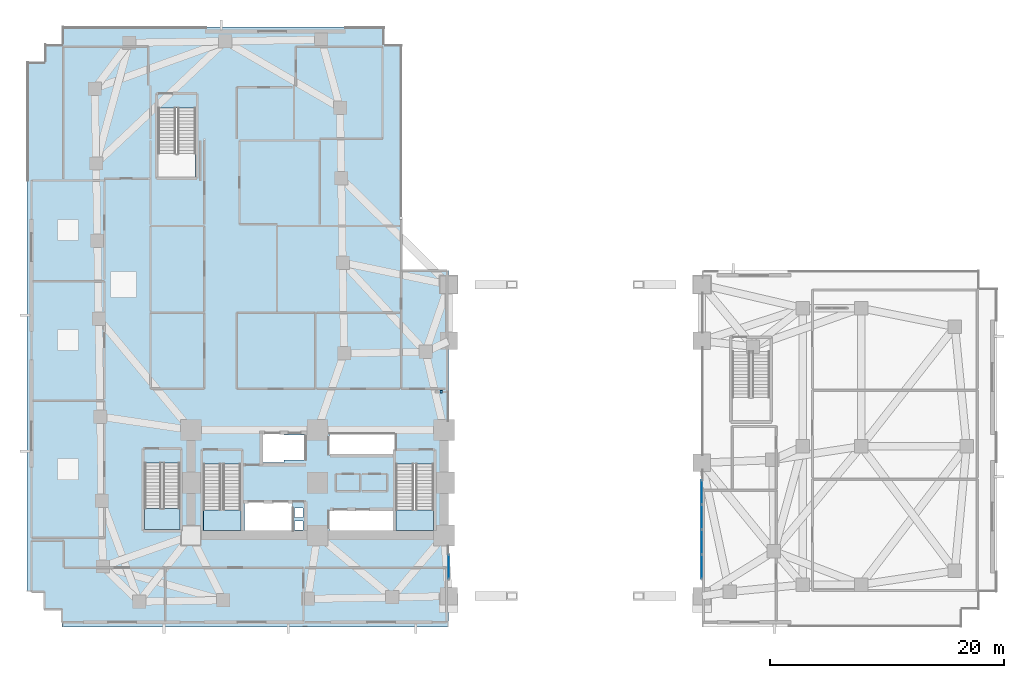
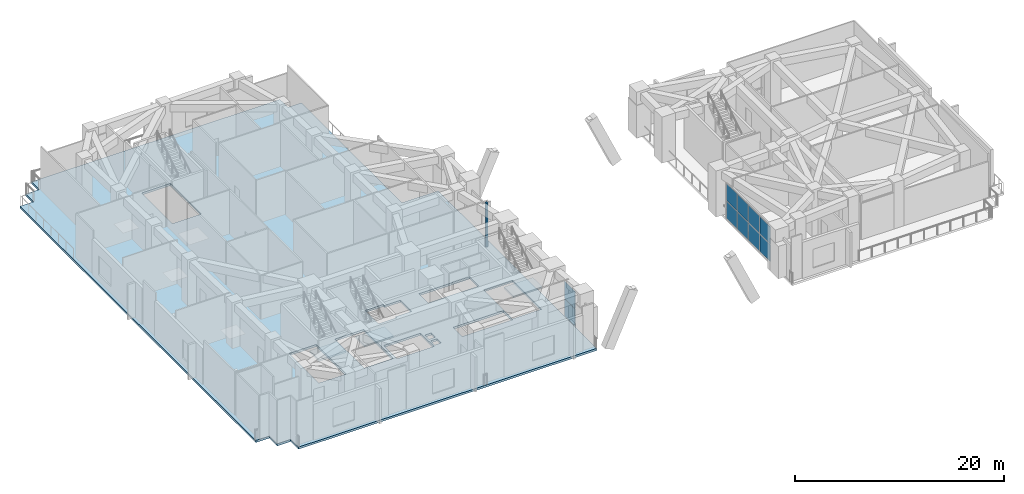
# One storey, part 5 of 18: 11 plates, 4 slabs, 5 elements without a shape of their own.
"""IFC4 building model written with IfcOpenShell, lengths in metres."""

from ifc_helpers import new_model, si_unit, direction, frame, origin, origin_2d, place, context, subcontext, project, spatial, polyline, rectangle, outline, extrude, material, layer, layer_set, type_object, element, aggregate, save


model = new_model("IFC4")

# Units and contexts
model_context = context("Model", 3, precision=1e-05, world=origin(), true_north=direction((0.0, 1.0)))
body_context = subcontext(model_context, "Body", "Model", "MODEL_VIEW")
ifc_project = project(units=[si_unit("LENGTHUNIT", "METRE"), si_unit("AREAUNIT", "SQUARE_METRE"), si_unit("VOLUMEUNIT", "CUBIC_METRE"), si_unit("PLANEANGLEUNIT", "RADIAN"), si_unit("MASSUNIT", "GRAM", prefix="KILO")], contexts=[model_context])

# Site, building, storey
site_placement = place(None, origin())
site = spatial("IfcSite", under=ifc_project, at=site_placement, CompositionType="ELEMENT")
building_placement = place(site_placement, origin())
building = spatial("IfcBuilding", under=site, at=building_placement, Name="Gaonmaruhae Medical Tower", CompositionType="ELEMENT")
storey_placement = place(building_placement, frame((0.0, 0.0, 16.199951171875)))
storey = spatial("IfcBuildingStorey", under=building, at=storey_placement, Name="L03", CompositionType="ELEMENT", Elevation=16.199951171875)

# Curtain wall, plates
ifc_material_1 = material(Name="Anodised aluminium and Low-E double glazing", Category="aluminium")
curtain_wall_type = type_object("IfcCurtainWallType", Name="CW-S1 Portal Arch Concourse Curtain Wall", PredefinedType="NOTDEFINED", material=ifc_material_1)
curtain_wall_1_placement = place(storey_placement, origin())
curtain_wall_1 = element("IfcCurtainWall", 1, at=curtain_wall_1_placement, inside=storey, type_object=curtain_wall_type, Name="L03 Curtain Wall CW-L03-S1W", PredefinedType="NOTDEFINED")
ifc_material_2 = material(Name="Low-E double solar glass", Category="glass")
ifc_layer_1 = layer(ifc_material_2, 0.028076171875)
ifc_layer_set_1 = layer_set([ifc_layer_1], Name="Low-E double solar glass")
plate_type_1 = type_object("IfcPlateType", Name="CWP-V1 Low-E Double Vision Glazing Panel", PredefinedType="CURTAIN_PANEL", material=ifc_layer_set_1)
plate_1_placement = place(storey_placement, frame((36.0, 5.1318359375, 0.0751953125), z_axis=(0.0, 0.0, 1.0), x_axis=(0.0, 1.0, 0.0)))
plate_1 = element("IfcPlate", 2, at=plate_1_placement, type_object=plate_type_1, Name="CW-S1 panel 1.1", PredefinedType="CURTAIN_PANEL", context=body_context, shape_type="SweptSolid", body=[
    extrude(rectangle(XDim=2.020263671875, YDim=0.028076171875, at=origin_2d()), origin(), (0.0, 0.0, 1.0), 2.00244140625),
])
plate_2_placement = place(storey_placement, frame((36.0, 5.1318359375, 2.152587890625), z_axis=(0.0, 0.0, 1.0), x_axis=(0.0, 1.0, 0.0)))
plate_2 = element("IfcPlate", 3, at=plate_2_placement, type_object=plate_type_1, Name="CW-S1 panel 1.2", PredefinedType="CURTAIN_PANEL", context=body_context, shape_type="SweptSolid", body=[
    extrude(rectangle(XDim=2.020263671875, YDim=0.028076171875, at=origin_2d()), origin(), (0.0, 0.0, 1.0), 2.00244140625),
])
aggregate(curtain_wall_1, [plate_1, plate_2])

curtain_wall_2_placement = place(storey_placement, origin())
curtain_wall_2 = element("IfcCurtainWall", 4, at=curtain_wall_2_placement, inside=storey, type_object=curtain_wall_type, Name="L03 Curtain Wall CW-L03-S1E", PredefinedType="NOTDEFINED")
plate_3_placement = place(storey_placement, frame((57.60009765625, 5.132080078125, 0.0751953125), z_axis=(0.0, 0.0, 1.0), x_axis=(0.0, 1.0, 0.0)))
plate_3 = element("IfcPlate", 5, at=plate_3_placement, type_object=plate_type_1, Name="CW-S1 panel 1.1", PredefinedType="CURTAIN_PANEL", context=body_context, shape_type="SweptSolid", body=[
    extrude(rectangle(XDim=2.020751953125, YDim=0.028076171875, at=origin_2d()), origin(), (0.0, 0.0, 1.0), 2.00244140625),
])
plate_4_placement = place(storey_placement, frame((57.60009765625, 5.132080078125, 2.152587890625), z_axis=(0.0, 0.0, 1.0), x_axis=(0.0, 1.0, 0.0)))
plate_4 = element("IfcPlate", 6, at=plate_4_placement, type_object=plate_type_1, Name="CW-S1 panel 1.2", PredefinedType="CURTAIN_PANEL", context=body_context, shape_type="SweptSolid", body=[
    extrude(rectangle(XDim=2.020751953125, YDim=0.028076171875, at=origin_2d()), origin(), (0.0, 0.0, 1.0), 2.00244140625),
])
plate_5_placement = place(storey_placement, frame((57.60009765625, 7.246337890625, 0.0751953125), z_axis=(0.0, 0.0, 1.0), x_axis=(0.0, 1.0, 0.0)))
plate_5 = element("IfcPlate", 7, at=plate_5_placement, type_object=plate_type_1, Name="CW-S1 panel 2.1", PredefinedType="CURTAIN_PANEL", context=body_context, shape_type="SweptSolid", body=[
    extrude(rectangle(XDim=2.05810546875, YDim=0.028076171875, at=origin_2d()), origin(), (0.0, 0.0, 1.0), 2.00244140625),
])
plate_6_placement = place(storey_placement, frame((57.60009765625, 7.246337890625, 2.152587890625), z_axis=(0.0, 0.0, 1.0), x_axis=(0.0, 1.0, 0.0)))
plate_6 = element("IfcPlate", 8, at=plate_6_placement, type_object=plate_type_1, Name="CW-S1 panel 2.2", PredefinedType="CURTAIN_PANEL", context=body_context, shape_type="SweptSolid", body=[
    extrude(rectangle(XDim=2.05810546875, YDim=0.028076171875, at=origin_2d()), origin(), (0.0, 0.0, 1.0), 2.00244140625),
])
plate_7_placement = place(storey_placement, frame((57.60009765625, 9.379638671875, 0.0751953125), z_axis=(0.0, 0.0, 1.0), x_axis=(0.0, 1.0, 0.0)))
plate_7 = element("IfcPlate", 9, at=plate_7_placement, type_object=plate_type_1, Name="CW-S1 panel 3.1", PredefinedType="CURTAIN_PANEL", context=body_context, shape_type="SweptSolid", body=[
    extrude(rectangle(XDim=2.05810546875, YDim=0.028076171875, at=origin_2d()), origin(), (0.0, 0.0, 1.0), 2.00244140625),
])
plate_8_placement = place(storey_placement, frame((57.60009765625, 9.379638671875, 2.152587890625), z_axis=(0.0, 0.0, 1.0), x_axis=(0.0, 1.0, 0.0)))
plate_8 = element("IfcPlate", 10, at=plate_8_placement, type_object=plate_type_1, Name="CW-S1 panel 3.2", PredefinedType="CURTAIN_PANEL", context=body_context, shape_type="SweptSolid", body=[
    extrude(rectangle(XDim=2.05810546875, YDim=0.028076171875, at=origin_2d()), origin(), (0.0, 0.0, 1.0), 2.00244140625),
])
plate_9_placement = place(storey_placement, frame((57.60009765625, 11.493896484375, 0.0751953125), z_axis=(0.0, 0.0, 1.0), x_axis=(0.0, 1.0, 0.0)))
plate_9 = element("IfcPlate", 11, at=plate_9_placement, type_object=plate_type_1, Name="CW-S1 panel 4.1", PredefinedType="CURTAIN_PANEL", context=body_context, shape_type="SweptSolid", body=[
    extrude(rectangle(XDim=2.020751953125, YDim=0.028076171875, at=origin_2d()), origin(), (0.0, 0.0, 1.0), 2.00244140625),
])
plate_10_placement = place(storey_placement, frame((57.60009765625, 11.493896484375, 2.152587890625), z_axis=(0.0, 0.0, 1.0), x_axis=(0.0, 1.0, 0.0)))
plate_10 = element("IfcPlate", 12, at=plate_10_placement, type_object=plate_type_1, Name="CW-S1 panel 4.2", PredefinedType="CURTAIN_PANEL", context=body_context, shape_type="SweptSolid", body=[
    extrude(rectangle(XDim=2.020751953125, YDim=0.028076171875, at=origin_2d()), origin(), (0.0, 0.0, 1.0), 2.00244140625),
])
aggregate(curtain_wall_2, [plate_3, plate_4, plate_5, plate_6, plate_7, plate_8, plate_9, plate_10])

# Slab
ifc_material_3 = material(Name="Concrete C40/50", Category="concrete")
ifc_layer_2 = layer(ifc_material_3, 0.25)
ifc_layer_set_2 = layer_set([ifc_layer_2], Name="Concrete C40/50")
slab_type_1 = type_object("IfcSlabType", Name="FS-250 Podium & Basement Floor Slab", PredefinedType="FLOOR", material=ifc_layer_set_2)
slab_1_placement = place(storey_placement, frame((0.0, 0.0, -0.25)))
element("IfcSlab", 13, at=slab_1_placement, inside=storey, type_object=slab_type_1, Name="L03 Structural Slab 1", PredefinedType="FLOOR", context=body_context, shape_type="SweptSolid", body=[
    extrude(outline(polyline([(3.0, 0.0), (3.0, 1.5), (1.5, 1.5), (1.5, 3.0), (0.0, 3.0), (0.0, 48.199951171875), (1.5, 48.199951171875), (1.5, 49.699951171875), (3.0, 49.699951171875), (3.0, 51.199951171875), (30.5, 51.199951171875), (30.5, 49.699951171875), (32.0, 49.699951171875), (32.0, 30.39990234375), (36.0, 30.39990234375), (36.0, 0.0), (3.0, 0.0)]), holes=[polyline([(23.550048828125, 8.25), (22.85009765625, 8.25), (22.85009765625, 9.050048828125), (23.550048828125, 9.050048828125), (23.550048828125, 8.25)]), polyline([(22.64990234375, 10.625), (22.64990234375, 8.074951171875), (18.550048828125, 8.074951171875), (18.550048828125, 10.625), (22.64990234375, 10.625)]), polyline([(15.050048828125, 13.889892578125), (18.25, 13.889892578125), (18.25, 8.300048828125), (15.050048828125, 8.300048828125), (15.050048828125, 13.889892578125)]), polyline([(13.050048828125, 13.989990234375), (13.050048828125, 8.300048828125), (10.050048828125, 8.300048828125), (10.050048828125, 13.989990234375), (13.050048828125, 13.989990234375)]), polyline([(21.949951171875, 14.02490234375), (19.949951171875, 14.02490234375), (19.949951171875, 16.574951171875), (21.949951171875, 16.574951171875), (21.949951171875, 16.375), (23.72509765625, 16.375), (23.72509765625, 14.22509765625), (21.949951171875, 14.22509765625), (21.949951171875, 14.02490234375)]), polyline([(11.199951171875, 44.2900390625), (14.39990234375, 44.2900390625), (14.39990234375, 38.39990234375), (11.199951171875, 38.39990234375), (11.199951171875, 44.2900390625)]), polyline([(31.425048828125, 9.925048828125), (31.425048828125, 8.175048828125), (25.824951171875, 8.175048828125), (25.824951171875, 9.925048828125), (31.425048828125, 9.925048828125)]), polyline([(22.85009765625, 9.35009765625), (22.85009765625, 10.14990234375), (23.550048828125, 10.14990234375), (23.550048828125, 9.35009765625), (22.85009765625, 9.35009765625)]), polyline([(31.5, 13.889892578125), (34.699951171875, 13.889892578125), (34.699951171875, 8.300048828125), (31.5, 8.300048828125), (31.5, 13.889892578125)]), polyline([(31.425048828125, 16.425048828125), (31.425048828125, 14.675048828125), (25.824951171875, 14.675048828125), (25.824951171875, 16.425048828125), (31.425048828125, 16.425048828125)])]), origin(), (0.0, 0.0, 1.0), 0.25),
])

# Plate
ifc_material_4 = material(Name="Anodised aluminium 6063-T6", Category="aluminium")
ifc_layer_3 = layer(ifc_material_4, 0.011962890625)
ifc_layer_set_3 = layer_set([ifc_layer_3], Name="Anodised aluminium 6063-T6")
plate_type_2 = type_object("IfcPlateType", Name="PP-01 Interior Partition Corner Stiffener Plate", PredefinedType="SHEET", material=ifc_layer_set_3)
plate_11_placement = place(storey_placement, frame((35.35498046875, 20.050048828125, 0.0), z_axis=(0.0, 0.0, 1.0), x_axis=(-1.0, 0.0, 0.0)))
element("IfcPlate", 14, at=plate_11_placement, inside=storey, type_object=plate_type_2, Name="L03 Partition Corner Stiffener Plate PLT-L03-JGP-PW019", PredefinedType="SHEET", context=body_context, shape_type="SweptSolid", body=[
    extrude(rectangle(XDim=0.219970703125, YDim=0.219970703125, at=origin_2d()), origin(), (0.0, 0.0, 1.0), 5.14990234375),
])

# Stair, slab
stair_type_1 = type_object("IfcStairType", Name="ST-T1 Primary Core Escape Dogleg Stair", PredefinedType="TWO_QUARTER_TURN_STAIR", material=ifc_material_3)
stair_1_placement = place(storey_placement, origin())
stair_1 = element("IfcStair", 15, at=stair_1_placement, inside=storey, type_object=stair_type_1, Name="L03 Protected Escape Stair ST-01", PredefinedType="TWO_QUARTER_TURN_STAIR")
ifc_layer_4 = layer(ifc_material_3, 0.199951171875)
ifc_layer_set_4 = layer_set([ifc_layer_4], Name="Concrete C40/50")
slab_type_2 = type_object("IfcSlabType", Name="SL-200 Stair & Ramp Intermediate Concrete Landing", PredefinedType="LANDING", material=ifc_layer_set_4)
slab_2_placement = place(storey_placement, frame((0.0, 0.0, 2.5)))
slab_2 = element("IfcSlab", 16, at=slab_2_placement, type_object=slab_type_2, Name="ST-01 landing 1", PredefinedType="LANDING", context=body_context, shape_type="SweptSolid", body=[
    extrude(outline(polyline([(15.050048828125, 9.97998046875), (15.050048828125, 8.2041015625), (18.25, 8.2041015625), (18.25, 9.97998046875), (15.050048828125, 9.97998046875)])), origin(), (0.0, 0.0, 1.0), 0.199951171875),
])
aggregate(stair_1, [slab_2])

stair_2_placement = place(storey_placement, origin())
stair_2 = element("IfcStair", 17, at=stair_2_placement, inside=storey, type_object=stair_type_1, Name="L03 Protected Escape Stair ST-02", PredefinedType="TWO_QUARTER_TURN_STAIR")
slab_3_placement = place(storey_placement, frame((0.0, 0.0, 2.5)))
slab_3 = element("IfcSlab", 18, at=slab_3_placement, type_object=slab_type_2, Name="ST-02 landing 1", PredefinedType="LANDING", context=body_context, shape_type="SweptSolid", body=[
    extrude(outline(polyline([(31.5, 9.97998046875), (31.5, 8.2041015625), (34.699951171875, 8.2041015625), (34.699951171875, 9.97998046875), (31.5, 9.97998046875)])), origin(), (0.0, 0.0, 1.0), 0.199951171875),
])
aggregate(stair_2, [slab_3])

stair_type_2 = type_object("IfcStairType", Name="ST-T2 Zone 1 Escape Dogleg Stair", PredefinedType="TWO_QUARTER_TURN_STAIR", material=ifc_material_3)
stair_3_placement = place(storey_placement, origin())
stair_3 = element("IfcStair", 19, at=stair_3_placement, inside=storey, type_object=stair_type_2, Name="L03 Protected Escape Stair ST-03", PredefinedType="TWO_QUARTER_TURN_STAIR")
slab_4_placement = place(storey_placement, frame((0.0, 0.0, 2.5)))
slab_4 = element("IfcSlab", 20, at=slab_4_placement, type_object=slab_type_2, Name="ST-03 landing 1", PredefinedType="LANDING", context=body_context, shape_type="SweptSolid", body=[
    extrude(outline(polyline([(10.050048828125, 10.080078125), (10.050048828125, 8.300048828125), (13.050048828125, 8.300048828125), (13.050048828125, 10.080078125), (10.050048828125, 10.080078125)])), origin(), (0.0, 0.0, 1.0), 0.199951171875),
])
aggregate(stair_3, [slab_4])

save(model, "model.ifc")
